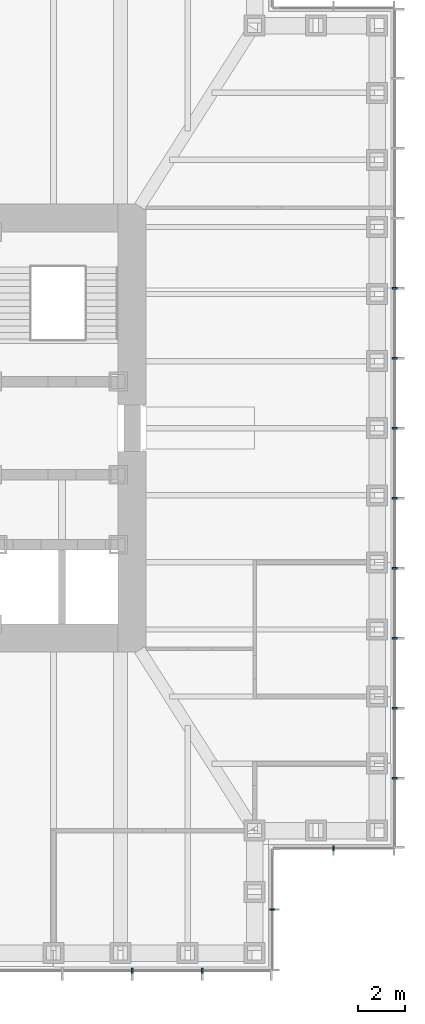
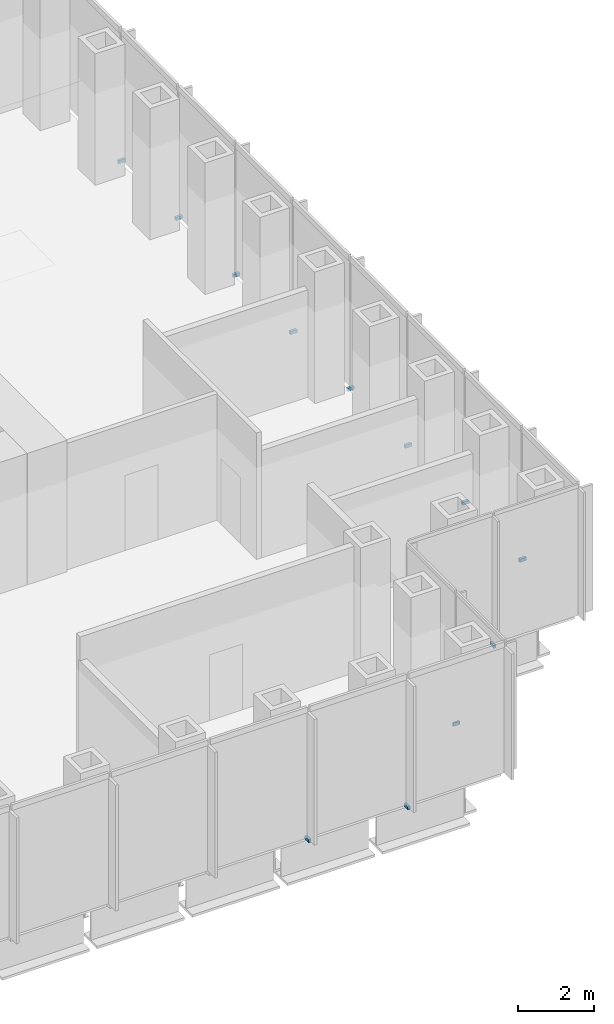
# One storey, part 13 of 16: 12 discrete accessories.
"""IFC4 building model written with IfcOpenShell, lengths in metres."""

from ifc_helpers import new_model, si_unit, direction, frame, origin, origin_2d, place, context, subcontext, project, spatial, rectangle, extrude, element, save


model = new_model("IFC4")

# Units and contexts
model_context = context("Model", 3, precision=1e-05, world=origin(), true_north=direction((0.0, 1.0)))
body_context = subcontext(model_context, "Body", "Model", "MODEL_VIEW")
ifc_project = project(units=[si_unit("LENGTHUNIT", "METRE"), si_unit("AREAUNIT", "SQUARE_METRE"), si_unit("VOLUMEUNIT", "CUBIC_METRE"), si_unit("PLANEANGLEUNIT", "RADIAN"), si_unit("MASSUNIT", "GRAM", prefix="KILO")], contexts=[model_context])

# Site, building, storey
site_placement = place(None, origin())
site = spatial("IfcSite", under=ifc_project, at=site_placement, CompositionType="ELEMENT")
building_placement = place(site_placement, origin())
building = spatial("IfcBuilding", under=site, at=building_placement, Name="Daluyong Arena Tower", CompositionType="ELEMENT")
storey_placement = place(building_placement, frame((0.0, 0.0, 137.5)))
storey = spatial("IfcBuildingStorey", under=building, at=storey_placement, Name="L30", CompositionType="ELEMENT", Elevation=137.5)

# Discrete accessories
for number, where, z_axis, x_axis, name in (
    (1, (68.0, 56.75, -0.10009765625), (0.0, 0.0, 1.0), (1.0, 0.0, 0.0), "curtain wall L30 S anchor bracket 11"),
    (2, (71.0, 56.75, -0.10009765625), (0.0, 0.0, 1.0), (1.0, 0.0, 0.0), "curtain wall L30 S anchor bracket 12"),
):
    element("IfcDiscreteAccessory", number, at=place(storey_placement, frame(where, z_axis=z_axis, x_axis=x_axis)), inside=storey, Name=name, PredefinedType="BRACKET", context=body_context, shape_type="SweptSolid", body=[
        extrude(rectangle(XDim=0.080078125, YDim=0.199951171875, at=origin_2d()), origin(), (0.0, 0.0, 1.0), 0.10009765625),
    ])
for number, where, z_axis, x_axis, name in (
    (3, (74.0, 59.375, -0.10009765625), (0.0, 0.0, 1.0), (0.0, 1.0, 0.0), "curtain wall L30 SE-E anchor bracket 2"),
    (4, (76.625, 62.0, -0.10009765625), (0.0, 0.0, 1.0), (1.0, 0.0, 0.0), "curtain wall L30 SE-S anchor bracket 2"),
):
    element("IfcDiscreteAccessory", number, at=place(storey_placement, frame(where, z_axis=z_axis, x_axis=x_axis)), inside=storey, Name=name, PredefinedType="BRACKET", context=body_context, shape_type="SweptSolid", body=[
        extrude(rectangle(XDim=0.06005859375, YDim=0.199951171875, at=origin_2d()), origin(), (0.0, 0.0, 1.0), 0.10009765625),
    ])
for number, where, z_axis, x_axis, name in (
    (5, (79.25, 65.0, -0.10009765625), (0.0, 0.0, 1.0), (0.0, 1.0, 0.0), "curtain wall L30 E anchor bracket 2"),
    (6, (79.25, 68.0, -0.10009765625), (0.0, 0.0, 1.0), (0.0, 1.0, 0.0), "curtain wall L30 E anchor bracket 3"),
    (7, (79.25, 71.0, -0.10009765625), (0.0, 0.0, 1.0), (0.0, 1.0, 0.0), "curtain wall L30 E anchor bracket 4"),
    (8, (79.25, 74.0, -0.10009765625), (0.0, 0.0, 1.0), (0.0, 1.0, 0.0), "curtain wall L30 E anchor bracket 5"),
    (9, (79.25, 77.0, -0.10009765625), (0.0, 0.0, 1.0), (0.0, 1.0, 0.0), "curtain wall L30 E anchor bracket 6"),
    (10, (79.25, 80.0, -0.10009765625), (0.0, 0.0, 1.0), (0.0, 1.0, 0.0), "curtain wall L30 E anchor bracket 7"),
    (11, (79.25, 83.0, -0.10009765625), (0.0, 0.0, 1.0), (0.0, 1.0, 0.0), "curtain wall L30 E anchor bracket 8"),
    (12, (79.25, 86.0, -0.10009765625), (0.0, 0.0, 1.0), (0.0, 1.0, 0.0), "curtain wall L30 E anchor bracket 9"),
):
    element("IfcDiscreteAccessory", number, at=place(storey_placement, frame(where, z_axis=z_axis, x_axis=x_axis)), inside=storey, Name=name, PredefinedType="BRACKET", context=body_context, shape_type="SweptSolid", body=[
        extrude(rectangle(XDim=0.080078125, YDim=0.199951171875, at=origin_2d()), origin(), (0.0, 0.0, 1.0), 0.10009765625),
    ])

save(model, "model.ifc")
